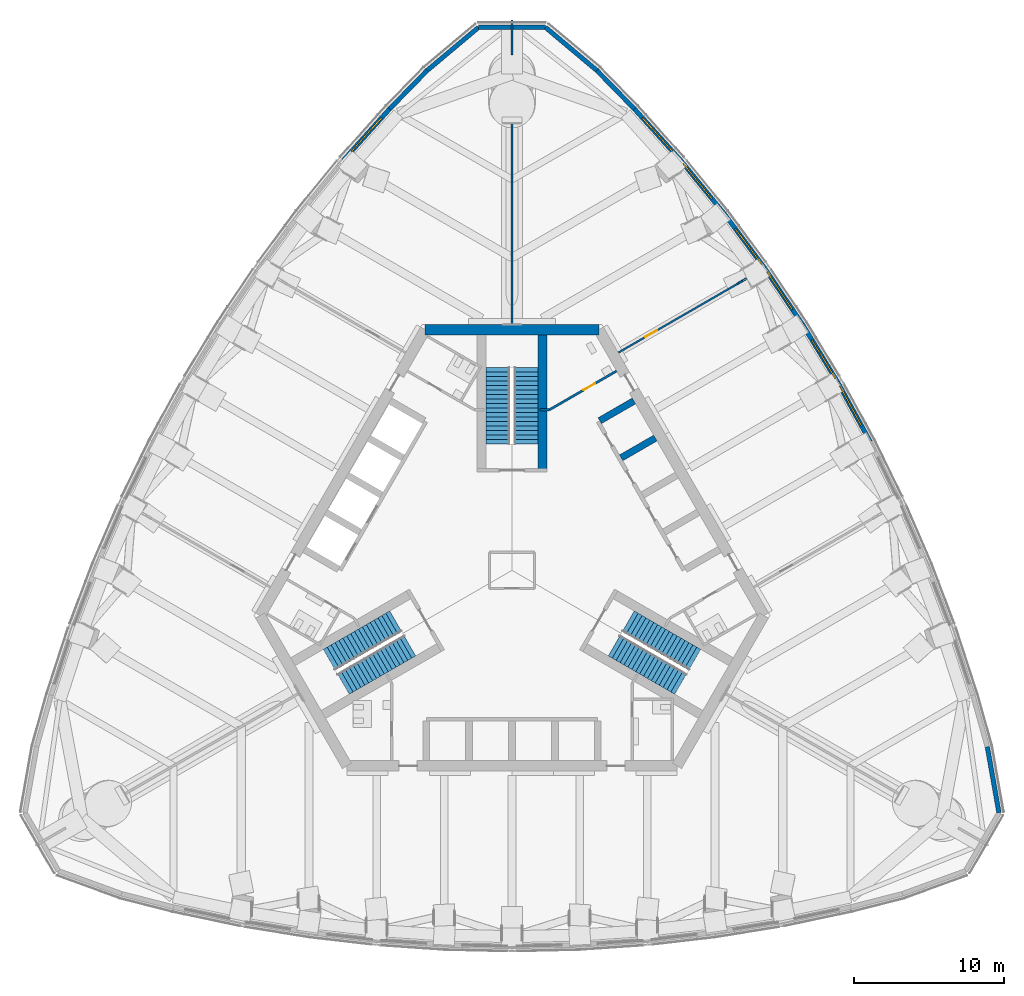
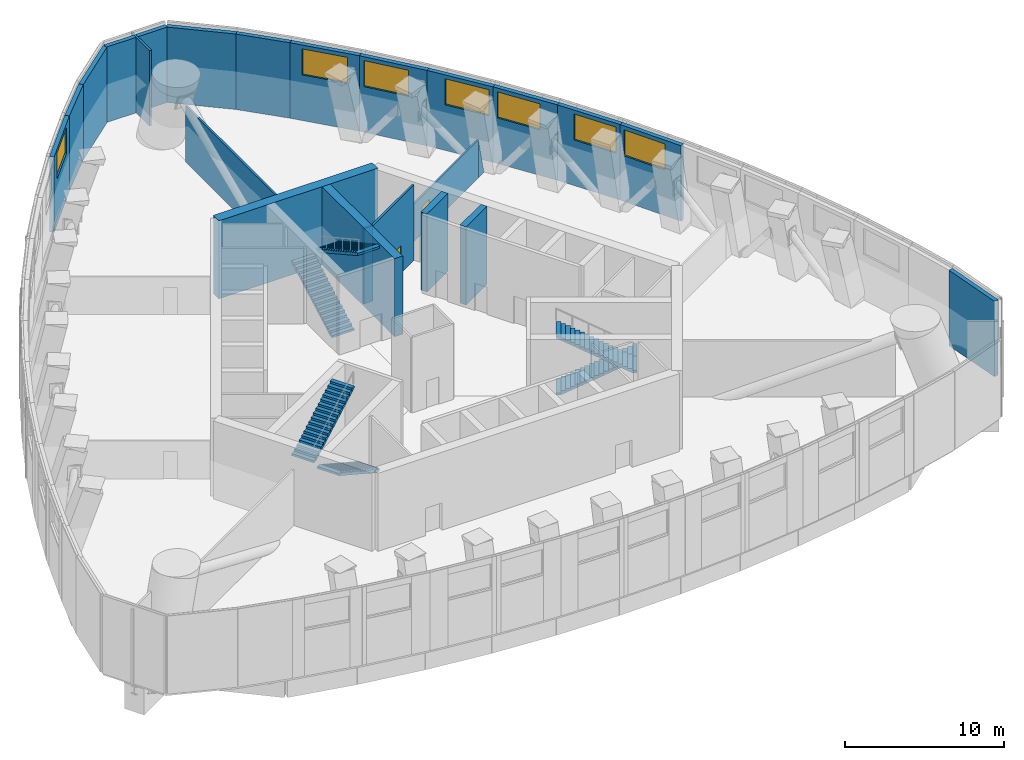
# One storey, part 9 of 22: 23 walls, 7 windows, 6 stair flights, 2 doors, 9 openings, 3 elements without a shape of their own.
"""IFC4 building model written with IfcOpenShell, lengths in metres."""

from ifc_helpers import new_model, si_unit, direction, frame, frame_2d, origin, place, context, subcontext, project, spatial, polyline, rectangle, outline, extrude, material, layer, layer_set, type_object, element, fill, aggregate, save


model = new_model("IFC4")

# Units and contexts
model_context = context("Model", 3, precision=1e-05, world=origin(), true_north=direction((0.0, 1.0)))
body_context = subcontext(model_context, "Body", "Model", "MODEL_VIEW")
ifc_project = project(units=[si_unit("LENGTHUNIT", "METRE"), si_unit("AREAUNIT", "SQUARE_METRE"), si_unit("VOLUMEUNIT", "CUBIC_METRE"), si_unit("PLANEANGLEUNIT", "RADIAN"), si_unit("MASSUNIT", "GRAM", prefix="KILO")], contexts=[model_context])

# Site, building, storey
site_placement = place(None, origin())
site = spatial("IfcSite", under=ifc_project, at=site_placement, CompositionType="ELEMENT")
building_placement = place(site_placement, origin())
building = spatial("IfcBuilding", under=site, at=building_placement, Name="Trefoil Bronze Tower", CompositionType="ELEMENT")
storey_placement = place(building_placement, frame((0.0, 0.0, 265.300048828125)))
storey = spatial("IfcBuildingStorey", under=building, at=storey_placement, Name="L61", CompositionType="ELEMENT", Elevation=265.300048828125)

# Wall
ifc_material_1 = material(Name="Concrete B80", Category="concrete")
ifc_layer_1 = layer(ifc_material_1, 0.300048828125)
ifc_layer_set_1 = layer_set([ifc_layer_1], Name="Belt wall 300")
wall_type_1 = type_object("IfcWallType", Name="Belt wall 300", PredefinedType="SOLIDWALL", material=ifc_layer_set_1)
wall_1_placement = place(storey_placement, frame((32.37060546875, -16.115478515625, 0.0), z_axis=(0.0, 0.0, 1.0), x_axis=(-0.173619736019, 0.984812767619, 0.0)))
element("IfcWall", 1, at=wall_1_placement, inside=storey, type_object=wall_type_1, Name="Belt wall T3.15", PredefinedType="SOLIDWALL", context=body_context, shape_type="SweptSolid", body=[
    extrude(rectangle(XDim=4.45751953125, YDim=0.300048828125, at=frame_2d((2.228759765625, 0.0))), origin(), (0.0, 0.0, 1.0), 5.800048828125),
])

# Wall, opening, window
wall_2_placement = place(storey_placement, frame((23.8115234375, 8.551513671875, 0.0), z_axis=(0.0, 0.0, 1.0), x_axis=(-0.479972822547, 0.877283357654, 0.0)))
wall_2 = element("IfcWall", 2, at=wall_2_placement, inside=storey, type_object=wall_type_1, Name="Belt wall T3.21", PredefinedType="SOLIDWALL", context=body_context, shape_type="SweptSolid", body=[
    extrude(rectangle(XDim=4.5009765625, YDim=0.300048828125, at=frame_2d((2.25048828125, 0.0))), origin(), (0.0, 0.0, 1.0), 5.800048828125),
])
opening_1_placement = place(wall_2_placement, frame((1.201171875, 0.0, 3.5)))
opening_1 = element("IfcOpeningElement", 3, at=opening_1_placement, cuts=wall_2, Name="Opening LV1", PredefinedType="OPENING", context=body_context, shape_type="SweptSolid", body=[
    extrude(rectangle(XDim=3.0, YDim=2.0, at=frame_2d((1.5, 1.0))), frame((0.0, 0.159912109375, 0.0), z_axis=(0.0, -1.0, 0.0), x_axis=(1.0, 0.0, 0.0)), (0.0, 0.0, 1.0), 0.320068359375),
])
ifc_material_2 = material(Name="Bronze-finish aluminium louvre", Category="aluminium")
window_type = type_object("IfcWindowType", Name="Plant louvre 3000", PartitioningType="SINGLE_PANEL", PredefinedType="USERDEFINED", material=ifc_material_2)
window_1_placement = place(opening_1_placement, origin())
window_1 = element("IfcWindow", 4, at=window_1_placement, inside=storey, type_object=window_type, Name="Plant louvre L61 F2.6.1", ObjectType="LOUVRE", OverallHeight=2.0, OverallWidth=3.0, PartitioningType="SINGLE_PANEL", PredefinedType="USERDEFINED", context=body_context, shape_type="SweptSolid", body=[
    extrude(rectangle(XDim=3.0, YDim=2.0, at=frame_2d((1.5, 1.0))), frame((0.0, 0.030029296875, 0.0), z_axis=(0.0, -1.0, 0.0), x_axis=(1.0, 0.0, 0.0)), (0.0, 0.0, 1.0), 0.06005859375),
])
fill(opening_1, window_1)

wall_3_placement = place(storey_placement, frame((21.651123046875, 12.500244140625, 0.0), z_axis=(0.0, 0.0, 1.0), x_axis=(-0.519766265397, 0.854308509472, 0.0)))
wall_3 = element("IfcWall", 5, at=wall_3_placement, inside=storey, type_object=wall_type_1, Name="Belt wall T3.22", PredefinedType="SOLIDWALL", context=body_context, shape_type="SweptSolid", body=[
    extrude(rectangle(XDim=4.501220703125, YDim=0.300048828125, at=frame_2d((2.25048828125, 0.0))), origin(), (0.0, 0.0, 1.0), 5.800048828125),
])
opening_2_placement = place(wall_3_placement, frame((0.300048828125, 0.0, 3.5)))
opening_2 = element("IfcOpeningElement", 6, at=opening_2_placement, cuts=wall_3, Name="Opening LV1", PredefinedType="OPENING", context=body_context, shape_type="SweptSolid", body=[
    extrude(rectangle(XDim=3.0, YDim=2.0, at=frame_2d((1.5, 1.0))), frame((0.0, 0.159912109375, 0.0), z_axis=(0.0, -1.0, 0.0), x_axis=(1.0, 0.0, 0.0)), (0.0, 0.0, 1.0), 0.320068359375),
])
window_2_placement = place(opening_2_placement, origin())
window_2 = element("IfcWindow", 7, at=window_2_placement, inside=storey, type_object=window_type, Name="Plant louvre L61 F2.7.1", ObjectType="LOUVRE", OverallHeight=2.0, OverallWidth=3.0, PartitioningType="SINGLE_PANEL", PredefinedType="USERDEFINED", context=body_context, shape_type="SweptSolid", body=[
    extrude(rectangle(XDim=3.0, YDim=2.0, at=frame_2d((1.5, 1.0))), frame((0.0, 0.030029296875, 0.0), z_axis=(0.0, -1.0, 0.0), x_axis=(1.0, 0.0, 0.0)), (0.0, 0.0, 1.0), 0.06005859375),
])
fill(opening_2, window_2)

wall_4_placement = place(storey_placement, frame((19.3115234375, 16.345703125, 0.0), z_axis=(0.0, 0.0, 1.0), x_axis=(-0.558466624917, 0.829526991034, 0.0)))
wall_4 = element("IfcWall", 8, at=wall_4_placement, inside=storey, type_object=wall_type_1, Name="Belt wall T3.23", PredefinedType="SOLIDWALL", context=body_context, shape_type="SweptSolid", body=[
    extrude(rectangle(XDim=4.5107421875, YDim=0.300048828125, at=frame_2d((2.25537109375, 0.0))), origin(), (0.0, 0.0, 1.0), 5.800048828125),
])
opening_3_placement = place(wall_4_placement, frame((1.210693359375, 0.0, 3.5)))
opening_3 = element("IfcOpeningElement", 9, at=opening_3_placement, cuts=wall_4, Name="Opening LV1", PredefinedType="OPENING", context=body_context, shape_type="SweptSolid", body=[
    extrude(rectangle(XDim=3.0, YDim=2.0, at=frame_2d((1.5, 1.0))), frame((0.0, 0.159912109375, 0.0), z_axis=(0.0, -1.0, 0.0), x_axis=(1.0, 0.0, 0.0)), (0.0, 0.0, 1.0), 0.320068359375),
])
window_3_placement = place(opening_3_placement, origin())
window_3 = element("IfcWindow", 10, at=window_3_placement, inside=storey, type_object=window_type, Name="Plant louvre L61 F2.8.1", ObjectType="LOUVRE", OverallHeight=2.0, OverallWidth=3.0, PartitioningType="SINGLE_PANEL", PredefinedType="USERDEFINED", context=body_context, shape_type="SweptSolid", body=[
    extrude(rectangle(XDim=3.0, YDim=2.0, at=frame_2d((1.5, 1.0))), frame((0.0, 0.030029296875, 0.0), z_axis=(0.0, -1.0, 0.0), x_axis=(1.0, 0.0, 0.0)), (0.0, 0.0, 1.0), 0.06005859375),
])
fill(opening_3, window_3)

wall_5_placement = place(storey_placement, frame((16.79248046875, 20.08740234375, 0.0), z_axis=(0.0, 0.0, 1.0), x_axis=(-0.596173167565, 0.802855873912, 0.0)))
wall_5 = element("IfcWall", 11, at=wall_5_placement, inside=storey, type_object=wall_type_1, Name="Belt wall T3.24", PredefinedType="SOLIDWALL", context=body_context, shape_type="SweptSolid", body=[
    extrude(rectangle(XDim=4.530029296875, YDim=0.300048828125, at=frame_2d((2.26513671875, 0.0))), origin(), (0.0, 0.0, 1.0), 5.800048828125),
])
opening_4_placement = place(wall_5_placement, frame((0.300048828125, 0.0, 3.5)))
opening_4 = element("IfcOpeningElement", 12, at=opening_4_placement, cuts=wall_5, Name="Opening LV1", PredefinedType="OPENING", context=body_context, shape_type="SweptSolid", body=[
    extrude(rectangle(XDim=3.0, YDim=2.0, at=frame_2d((1.5, 1.0))), frame((0.0, 0.159912109375, 0.0), z_axis=(0.0, -1.0, 0.0), x_axis=(1.0, 0.0, 0.0)), (0.0, 0.0, 1.0), 0.320068359375),
])
window_4_placement = place(opening_4_placement, origin())
window_4 = element("IfcWindow", 13, at=window_4_placement, inside=storey, type_object=window_type, Name="Plant louvre L61 F2.9.1", ObjectType="LOUVRE", OverallHeight=2.0, OverallWidth=3.0, PartitioningType="SINGLE_PANEL", PredefinedType="USERDEFINED", context=body_context, shape_type="SweptSolid", body=[
    extrude(rectangle(XDim=3.0, YDim=2.0, at=frame_2d((1.5, 1.0))), frame((0.0, 0.030029296875, 0.0), z_axis=(0.0, -1.0, 0.0), x_axis=(1.0, 0.0, 0.0)), (0.0, 0.0, 1.0), 0.06005859375),
])
fill(opening_4, window_4)

wall_6_placement = place(storey_placement, frame((14.091796875, 23.724365234375, 0.0), z_axis=(0.0, 0.0, 1.0), x_axis=(-0.632765292047, 0.774343647989, 0.0)))
wall_6 = element("IfcWall", 14, at=wall_6_placement, inside=storey, type_object=wall_type_1, Name="Belt wall T3.25", PredefinedType="SOLIDWALL", context=body_context, shape_type="SweptSolid", body=[
    extrude(rectangle(XDim=4.559326171875, YDim=0.300048828125, at=frame_2d((2.27978515625, 0.0))), origin(), (0.0, 0.0, 1.0), 5.800048828125),
])
opening_5_placement = place(wall_6_placement, frame((1.25927734375, 0.0, 3.5)))
opening_5 = element("IfcOpeningElement", 15, at=opening_5_placement, cuts=wall_6, Name="Opening LV1", PredefinedType="OPENING", context=body_context, shape_type="SweptSolid", body=[
    extrude(rectangle(XDim=3.0, YDim=2.0, at=frame_2d((1.5, 1.0))), frame((0.0, 0.159912109375, 0.0), z_axis=(0.0, -1.0, 0.0), x_axis=(1.0, 0.0, 0.0)), (0.0, 0.0, 1.0), 0.320068359375),
])
window_5_placement = place(opening_5_placement, origin())
window_5 = element("IfcWindow", 16, at=window_5_placement, inside=storey, type_object=window_type, Name="Plant louvre L61 F2.10.1", ObjectType="LOUVRE", OverallHeight=2.0, OverallWidth=3.0, PartitioningType="SINGLE_PANEL", PredefinedType="USERDEFINED", context=body_context, shape_type="SweptSolid", body=[
    extrude(rectangle(XDim=3.0, YDim=2.0, at=frame_2d((1.5, 1.0))), frame((0.0, 0.030029296875, 0.0), z_axis=(0.0, -1.0, 0.0), x_axis=(1.0, 0.0, 0.0)), (0.0, 0.0, 1.0), 0.06005859375),
])
fill(opening_5, window_5)

wall_7_placement = place(storey_placement, frame((11.206787109375, 27.2548828125, 0.0), z_axis=(0.0, 0.0, 1.0), x_axis=(-0.668245909458, 0.743940457626, 0.0)))
wall_7 = element("IfcWall", 17, at=wall_7_placement, inside=storey, type_object=wall_type_1, Name="Belt wall T3.26", PredefinedType="SOLIDWALL", context=body_context, shape_type="SweptSolid", body=[
    extrude(rectangle(XDim=4.599365234375, YDim=0.300048828125, at=frame_2d((2.2998046875, 0.0))), origin(), (0.0, 0.0, 1.0), 5.800048828125),
])
opening_6_placement = place(wall_7_placement, frame((0.7998046875, 0.0, 3.5)))
opening_6 = element("IfcOpeningElement", 18, at=opening_6_placement, cuts=wall_7, Name="Opening LV1", PredefinedType="OPENING", context=body_context, shape_type="SweptSolid", body=[
    extrude(rectangle(XDim=3.0, YDim=2.0, at=frame_2d((1.5, 1.0))), frame((0.0, 0.159912109375, 0.0), z_axis=(0.0, -1.0, 0.0), x_axis=(1.0, 0.0, 0.0)), (0.0, 0.0, 1.0), 0.320068359375),
])
window_6_placement = place(opening_6_placement, origin())
window_6 = element("IfcWindow", 19, at=window_6_placement, inside=storey, type_object=window_type, Name="Plant louvre L61 F2.11.1", ObjectType="LOUVRE", OverallHeight=2.0, OverallWidth=3.0, PartitioningType="SINGLE_PANEL", PredefinedType="USERDEFINED", context=body_context, shape_type="SweptSolid", body=[
    extrude(rectangle(XDim=3.0, YDim=2.0, at=frame_2d((1.5, 1.0))), frame((0.0, 0.030029296875, 0.0), z_axis=(0.0, -1.0, 0.0), x_axis=(1.0, 0.0, 0.0)), (0.0, 0.0, 1.0), 0.06005859375),
])
fill(opening_6, window_6)

# Walls
wall_8_placement = place(storey_placement, frame((8.13330078125, 30.676513671875, 0.0), z_axis=(0.0, 0.0, 1.0), x_axis=(-0.698630261643, 0.715482884154, 0.0)))
element("IfcWall", 20, at=wall_8_placement, inside=storey, type_object=wall_type_1, Name="Belt wall T3.27", PredefinedType="SOLIDWALL", context=body_context, shape_type="SweptSolid", body=[
    extrude(rectangle(XDim=3.563720703125, YDim=0.300048828125, at=frame_2d((1.78173828125, 0.0))), origin(), (0.0, 0.0, 1.0), 5.800048828125),
])
for number, where, z_axis, x_axis, name in (
    (21, (5.6435546875, 33.226318359375, 0.0), (0.0, 0.0, 1.0), (-0.766057564293, 0.642771972156, 0.0), "Belt wall T3.28"),
    (22, (2.228759765625, 36.091552734375, 0.0), (0.0, 0.0, 1.0), (-1.0, 0.0, 0.0), "Belt wall T3.29"),
    (23, (-2.228759765625, 36.091552734375, 0.0), (0.0, 0.0, 1.0), (-0.766057564293, -0.642771972156, 0.0), "Belt wall T3.30"),
):
    element("IfcWall", number, at=place(storey_placement, frame(where, z_axis=z_axis, x_axis=x_axis)), inside=storey, type_object=wall_type_1, Name=name, PredefinedType="SOLIDWALL", context=body_context, shape_type="SweptSolid", body=[
        extrude(rectangle(XDim=4.45751953125, YDim=0.300048828125, at=frame_2d((2.228759765625, 0.0))), origin(), (0.0, 0.0, 1.0), 5.800048828125),
    ])
wall_9_placement = place(storey_placement, frame((-5.6435546875, 33.226318359375, 0.0), z_axis=(0.0, 0.0, 1.0), x_axis=(-0.698630261643, -0.715482884154, 0.0)))
element("IfcWall", 24, at=wall_9_placement, inside=storey, type_object=wall_type_1, Name="Belt wall T3.31", PredefinedType="SOLIDWALL", context=body_context, shape_type="SweptSolid", body=[
    extrude(rectangle(XDim=3.563720703125, YDim=0.300048828125, at=frame_2d((1.78173828125, 0.0))), origin(), (0.0, 0.0, 1.0), 5.800048828125),
])

# Wall, opening, window
wall_10_placement = place(storey_placement, frame((-8.13330078125, 30.676513671875, 0.0), z_axis=(0.0, 0.0, 1.0), x_axis=(-0.668245909458, -0.743940457626, 0.0)))
wall_10 = element("IfcWall", 25, at=wall_10_placement, inside=storey, type_object=wall_type_1, Name="Belt wall T3.32", PredefinedType="SOLIDWALL", context=body_context, shape_type="SweptSolid", body=[
    extrude(rectangle(XDim=4.599365234375, YDim=0.300048828125, at=frame_2d((2.2998046875, 0.0))), origin(), (0.0, 0.0, 1.0), 5.800048828125),
])
opening_7_placement = place(wall_10_placement, frame((0.7998046875, 0.0, 3.5)))
opening_7 = element("IfcOpeningElement", 26, at=opening_7_placement, cuts=wall_10, Name="Opening LV1", PredefinedType="OPENING", context=body_context, shape_type="SweptSolid", body=[
    extrude(rectangle(XDim=3.0, YDim=2.0, at=frame_2d((1.5, 1.0))), frame((0.0, 0.159912109375, 0.0), z_axis=(0.0, -1.0, 0.0), x_axis=(1.0, 0.0, 0.0)), (0.0, 0.0, 1.0), 0.320068359375),
])
window_7_placement = place(opening_7_placement, origin())
window_7 = element("IfcWindow", 27, at=window_7_placement, inside=storey, type_object=window_type, Name="Plant louvre L61 F3.2.1", ObjectType="LOUVRE", OverallHeight=2.0, OverallWidth=3.0, PartitioningType="SINGLE_PANEL", PredefinedType="USERDEFINED", context=body_context, shape_type="SweptSolid", body=[
    extrude(rectangle(XDim=3.0, YDim=2.0, at=frame_2d((1.5, 1.0))), frame((0.0, 0.030029296875, 0.0), z_axis=(0.0, -1.0, 0.0), x_axis=(1.0, 0.0, 0.0)), (0.0, 0.0, 1.0), 0.06005859375),
])
fill(opening_7, window_7)

# Walls
ifc_material_3 = material(Name="Concrete B80", Category="concrete")
ifc_layer_2 = layer(ifc_material_3, 0.699951171875)
ifc_layer_set_2 = layer_set([ifc_layer_2], Name="Core wall 700")
wall_type_2 = type_object("IfcWallType", Name="Core wall 700", PredefinedType="SHEAR", material=ifc_layer_set_2)
wall_11_placement = place(storey_placement, frame((5.7734375, 16.0, 0.0), z_axis=(0.0, 0.0, 1.0), x_axis=(-1.0, 0.0, 0.0)))
element("IfcWall", 28, at=wall_11_placement, inside=storey, type_object=wall_type_2, Name="Core short wall 2 L61", PredefinedType="SHEAR", context=body_context, shape_type="SweptSolid", body=[
    extrude(rectangle(XDim=11.546875, YDim=0.699951171875, at=frame_2d((5.7734375, 0.0))), origin(), (0.0, 0.0, 1.0), 6.0),
])
ifc_material_4 = material(Name="Glazed partition", Category="glass")
ifc_layer_3 = layer(ifc_material_4, 0.1201171875)
ifc_layer_set_3 = layer_set([ifc_layer_3], Name="Glazed partition 120")
wall_type_3 = type_object("IfcWallType", Name="Glazed partition 120", PredefinedType="PARTITIONING", material=ifc_layer_set_3)
wall_12_placement = place(storey_placement, frame((14.985595703125, 19.044189453125, 0.0), z_axis=(0.0, 0.0, 1.0), x_axis=(0.865984622623, 0.500070628392, 0.0)))
element("IfcWall", 29, at=wall_12_placement, inside=storey, type_object=wall_type_3, Name="Partition F2 L61", PredefinedType="PARTITIONING", context=body_context, shape_type="SweptSolid", body=[
    extrude(outline(polyline([(0.0, 0.0), (0.68798828125, 0.0), (0.687744140625, 0.050048828125), (0.0, 2.89990234375), (0.0, 0.0)])), frame((0.0, 0.06005859375, 0.0), z_axis=(0.0, -1.0, 0.0), x_axis=(1.0, 0.0, 0.0)), (0.0, 0.0, 1.0), 0.1201171875),
])

# Wall, opening, door
wall_13_placement = place(storey_placement, frame((7.078857421875, 14.479248046875, 0.0), z_axis=(0.0, 0.0, 1.0), x_axis=(0.866026165896, 0.499998679983, 0.0)))
wall_13 = element("IfcWall", 30, at=wall_13_placement, inside=storey, type_object=wall_type_3, Name="Partition F2 L61", PredefinedType="PARTITIONING", context=body_context, shape_type="SweptSolid", body=[
    extrude(rectangle(XDim=9.1298828125, YDim=0.1201171875, at=frame_2d((4.56494140625, 0.0))), origin(), (0.0, 0.0, 1.0), 2.89990234375),
])
opening_8_placement = place(wall_13_placement, frame((2.050048828125, 0.0, 0.0)))
opening_8 = element("IfcOpeningElement", 31, at=opening_8_placement, cuts=wall_13, Name="Opening D8", PredefinedType="OPENING", context=body_context, shape_type="SweptSolid", body=[
    extrude(rectangle(XDim=0.89990234375, YDim=2.10009765625, at=frame_2d((0.449951171875, 1.050048828125))), frame((0.0, 0.070068359375, 0.0), z_axis=(0.0, -1.0, 0.0), x_axis=(1.0, 0.0, 0.0)), (0.0, 0.0, 1.0), 0.14013671875),
])
ifc_material_5 = material(Name="Timber door", Category="wood")
door_type_1 = type_object("IfcDoorType", Name="Office door 900", OperationType="SINGLE_SWING_LEFT", PredefinedType="DOOR", material=ifc_material_5)
door_1_placement = place(opening_8_placement, frame((0.89990234375, 0.0, 0.0), z_axis=(0.0, 0.0, 1.0), x_axis=(-1.0, 0.0, 0.0)))
door_1 = element("IfcDoor", 32, at=door_1_placement, inside=storey, type_object=door_type_1, Name="Pump plant room door F2 L61", OperationType="SINGLE_SWING_RIGHT", OverallHeight=2.10009765625, OverallWidth=0.89990234375, PredefinedType="DOOR", context=body_context, shape_type="SweptSolid", body=[
    extrude(rectangle(XDim=0.89990234375, YDim=2.10009765625, at=frame_2d((0.449951171875, 1.050048828125))), frame((0.0, 0.02490234375, 0.0), z_axis=(0.0, -1.0, 0.0), x_axis=(1.0, 0.0, 0.0)), (0.0, 0.0, 1.0), 0.050048828125),
])
fill(opening_8, door_1)

# Walls
ifc_material_6 = material(Name="Concrete B80", Category="concrete")
ifc_layer_4 = layer(ifc_material_6, 0.449951171875)
ifc_layer_set_4 = layer_set([ifc_layer_4], Name="Outrigger shaft wall 450")
wall_type_4 = type_object("IfcWallType", Name="Outrigger shaft wall 450", PredefinedType="SHEAR", material=ifc_layer_set_4)
for number, where, z_axis, x_axis, name in (
    (33, (7.2568359375, 7.480712890625, 0.0), (0.0, 0.0, 1.0), (0.866036909293, 0.499980071345, 0.0), "Lift shaft side wall B3 L61"),
    (34, (5.831787109375, 9.94873046875, 0.0), (0.0, 0.0, 1.0), (0.866036909293, 0.499980071345, 0.0), "Lift shaft side wall B4 L61"),
):
    element("IfcWall", number, at=place(storey_placement, frame(where, z_axis=z_axis, x_axis=x_axis)), inside=storey, type_object=wall_type_4, Name=name, PredefinedType="SHEAR", context=body_context, shape_type="SweptSolid", body=[
        extrude(rectangle(XDim=2.625, YDim=0.449951171875, at=frame_2d((1.3125, 0.0))), origin(), (0.0, 0.0, 1.0), 6.0),
    ])

# Wall, opening, door
ifc_material_7 = material(Name="Gypsum board on steel studs", Category="steel")
ifc_layer_5 = layer(ifc_material_7, 0.14990234375)
ifc_layer_set_5 = layer_set([ifc_layer_5], Name="Partition 150")
wall_type_5 = type_object("IfcWallType", Name="Partition 150", PredefinedType="PARTITIONING", material=ifc_layer_set_5)
wall_14_placement = place(storey_placement, frame((2.4951171875, 10.67822265625, 0.0), z_axis=(0.0, 0.0, 1.0), x_axis=(0.866037967349, 0.499978238636, 0.0)))
wall_14 = element("IfcWall", 35, at=wall_14_placement, inside=storey, type_object=wall_type_5, Name="Passage wall F2+ L61", PredefinedType="PARTITIONING", context=body_context, shape_type="SweptSolid", body=[
    extrude(rectangle(XDim=5.150146484375, YDim=0.14990234375, at=frame_2d((2.5751953125, 0.0))), origin(), (0.0, 0.0, 1.0), 5.800048828125),
])
opening_9_placement = place(wall_14_placement, frame((2.60009765625, 0.0, 0.0)))
opening_9 = element("IfcOpeningElement", 36, at=opening_9_placement, cuts=wall_14, Name="Opening D3", PredefinedType="OPENING", context=body_context, shape_type="SweptSolid", body=[
    extrude(rectangle(XDim=0.89990234375, YDim=2.10009765625, at=frame_2d((0.449951171875, 1.050048828125))), frame((0.0, 0.0849609375, 0.0), z_axis=(0.0, -1.0, 0.0), x_axis=(1.0, 0.0, 0.0)), (0.0, 0.0, 1.0), 0.169921875),
])
ifc_material_8 = material(Name="Timber door", Category="wood")
door_type_2 = type_object("IfcDoorType", Name="WC door 900", OperationType="SINGLE_SWING_LEFT", PredefinedType="DOOR", material=ifc_material_8)
door_2_placement = place(opening_9_placement, origin())
door_2 = element("IfcDoor", 37, at=door_2_placement, inside=storey, type_object=door_type_2, Name="Accessible WC door L61", OperationType="SINGLE_SWING_RIGHT", OverallHeight=2.10009765625, OverallWidth=0.89990234375, PredefinedType="DOOR", context=body_context, shape_type="SweptSolid", body=[
    extrude(rectangle(XDim=0.89990234375, YDim=2.10009765625, at=frame_2d((0.449951171875, 1.050048828125))), frame((0.0, 0.02490234375, 0.0), z_axis=(0.0, -1.0, 0.0), x_axis=(1.0, 0.0, 0.0)), (0.0, 0.0, 1.0), 0.050048828125),
])
fill(opening_9, door_2)

# Walls
wall_15_placement = place(storey_placement, frame((2.4951171875, 10.67822265625, 0.0), z_axis=(0.0, 0.0, 1.0), x_axis=(-1.0, 0.0, 0.0)))
element("IfcWall", 38, at=wall_15_placement, inside=storey, type_object=wall_type_5, Name="WC wall ST2-1 L61", PredefinedType="PARTITIONING", context=body_context, shape_type="SweptSolid", body=[
    extrude(rectangle(XDim=0.64501953125, YDim=0.14990234375, at=frame_2d((0.322509765625, 0.0))), origin(), (0.0, 0.0, 1.0), 5.800048828125),
])
ifc_material_9 = material(Name="Gypsum board on steel studs", Category="steel")
ifc_layer_6 = layer(ifc_material_9, 0.14990234375)
ifc_layer_set_6 = layer_set([ifc_layer_6], Name="Party wall 150")
wall_type_6 = type_object("IfcWallType", Name="Party wall 150", PredefinedType="PARTITIONING", material=ifc_layer_set_6)
wall_16_placement = place(storey_placement, frame((0.0, 16.35009765625, 0.0), z_axis=(0.0, 0.0, 1.0), x_axis=(0.0, 1.0, 0.0)))
element("IfcWall", 39, at=wall_16_placement, inside=storey, type_object=wall_type_6, Name="Party wall K2 L61", PredefinedType="PARTITIONING", context=body_context, shape_type="SweptSolid", body=[
    extrude(rectangle(XDim=13.39990234375, YDim=0.14990234375, at=frame_2d((6.699951171875, 0.0))), origin(), (0.0, 0.0, 1.0), 4.300048828125),
])
wall_17_placement = place(storey_placement, frame((0.0, 34.25, 0.0), z_axis=(0.0, 0.0, 1.0), x_axis=(0.0, 1.0, 0.0)))
element("IfcWall", 40, at=wall_17_placement, inside=storey, type_object=wall_type_6, Name="Party wall K2 L61", PredefinedType="PARTITIONING", context=body_context, shape_type="SweptSolid", body=[
    extrude(rectangle(XDim=2.334716796875, YDim=0.14990234375, at=frame_2d((1.16748046875, 0.0))), origin(), (0.0, 0.0, 1.0), 5.800048828125),
])
ifc_material_10 = material(Name="Concrete B80", Category="concrete")
ifc_layer_7 = layer(ifc_material_10, 0.60009765625)
ifc_layer_set_7 = layer_set([ifc_layer_7], Name="Stair wall 600")
wall_type_7 = type_object("IfcWallType", Name="Stair wall 600", PredefinedType="SHEAR", material=ifc_layer_set_7)
wall_18_placement = place(storey_placement, frame((2.02490234375, 6.52490234375, 0.0), z_axis=(0.0, 0.0, 1.0), x_axis=(0.0, 1.0, 0.0)))
element("IfcWall", 41, at=wall_18_placement, inside=storey, type_object=wall_type_7, Name="Stair wall ST2 L61", PredefinedType="SHEAR", context=body_context, shape_type="SweptSolid", body=[
    extrude(rectangle(XDim=9.125, YDim=0.60009765625, at=frame_2d((4.5625, 0.0))), origin(), (0.0, 0.0, 1.0), 6.0),
])

# Stair, stair flights
ifc_material_11 = material(Name="Precast concrete B80", Category="concrete")
stair_type = type_object("IfcStairType", Name="Exit stair 36 risers", PredefinedType="HALF_TURN_STAIR", material=ifc_material_11)
stair_1_placement = place(storey_placement, origin())
stair_1 = element("IfcStair", 42, at=stair_1_placement, inside=storey, type_object=stair_type, Name="Stair ST1 L61", PredefinedType="HALF_TURN_STAIR")
ifc_material_12 = material(Name="Precast concrete B80", Category="concrete")
stair_flight_type = type_object("IfcStairFlightType", Name="Stair flight 1600", PredefinedType="STRAIGHT", material=ifc_material_12)
stair_flight_1_placement = place(storey_placement, frame((7.728515625, -3.39404296875, 0.0), z_axis=(0.0, 0.0, 1.0), x_axis=(0.866025403784, -0.5, 0.0)))
stair_flight_1 = element("IfcStairFlight", 43, at=stair_flight_1_placement, type_object=stair_flight_type, Name="ST1 flight 1", NumberOfRisers=18, NumberOfTreads=17, PredefinedType="STRAIGHT", RiserHeight=0.166666667, TreadLength=0.3, context=body_context, shape_type="SweptSolid", body=[
    extrude(outline(polyline([(0.0, 0.0), (0.0, 0.166748046875), (0.300048828125, 0.166748046875), (0.300048828125, 0.333251953125), (0.60009765625, 0.333251953125), (0.60009765625, 0.5), (0.89990234375, 0.5), (0.89990234375, 0.666748046875), (1.199951171875, 0.666748046875), (1.199951171875, 0.833251953125), (1.5, 0.833251953125), (1.5, 1.0), (1.800048828125, 1.0), (1.800048828125, 1.166748046875), (2.10009765625, 1.166748046875), (2.10009765625, 1.333251953125), (2.39990234375, 1.333251953125), (2.39990234375, 1.5), (2.699951171875, 1.5), (2.699951171875, 1.666748046875), (3.0, 1.666748046875), (3.0, 1.833251953125), (3.300048828125, 1.833251953125), (3.300048828125, 2.0), (3.60009765625, 2.0), (3.60009765625, 2.166748046875), (3.89990234375, 2.166748046875), (3.89990234375, 2.333251953125), (4.199951171875, 2.333251953125), (4.199951171875, 2.5), (4.5, 2.5), (4.5, 2.666748046875), (4.800048828125, 2.666748046875), (4.800048828125, 2.833251953125), (5.10009765625, 2.833251953125), (5.10009765625, 3.0), (5.10009765625, 2.661865234375), (0.30859375, 0.0), (0.0, 0.0)])), frame((0.0, 0.800048828125, 0.0), z_axis=(0.0, -1.0, 0.0), x_axis=(1.0, 0.0, 0.0)), (0.0, 0.0, 1.0), 1.60009765625),
])
stair_flight_2_placement = place(storey_placement, frame((11.22021484375, -7.546142578125, 3.0), z_axis=(0.0, 0.0, 1.0), x_axis=(-0.866025403784, 0.5, 0.0)))
stair_flight_2 = element("IfcStairFlight", 44, at=stair_flight_2_placement, type_object=stair_flight_type, Name="ST1 flight 2", NumberOfRisers=18, NumberOfTreads=17, PredefinedType="STRAIGHT", RiserHeight=0.166666667, TreadLength=0.3, context=body_context, shape_type="SweptSolid", body=[
    extrude(outline(polyline([(0.0, 0.0), (0.0, 0.166748046875), (0.300048828125, 0.166748046875), (0.300048828125, 0.333251953125), (0.60009765625, 0.333251953125), (0.60009765625, 0.5), (0.89990234375, 0.5), (0.89990234375, 0.666748046875), (1.199951171875, 0.666748046875), (1.199951171875, 0.833251953125), (1.5, 0.833251953125), (1.5, 1.0), (1.800048828125, 1.0), (1.800048828125, 1.166748046875), (2.10009765625, 1.166748046875), (2.10009765625, 1.333251953125), (2.39990234375, 1.333251953125), (2.39990234375, 1.5), (2.699951171875, 1.5), (2.699951171875, 1.666748046875), (3.0, 1.666748046875), (3.0, 1.833251953125), (3.300048828125, 1.833251953125), (3.300048828125, 2.0), (3.60009765625, 2.0), (3.60009765625, 2.166748046875), (3.89990234375, 2.166748046875), (3.89990234375, 2.333251953125), (4.199951171875, 2.333251953125), (4.199951171875, 2.5), (4.5, 2.5), (4.5, 2.666748046875), (4.800048828125, 2.666748046875), (4.800048828125, 2.833251953125), (5.10009765625, 2.833251953125), (5.10009765625, 3.0), (5.10009765625, 2.661865234375), (0.30859375, 0.0), (0.0, 0.0)])), frame((0.0, 0.800048828125, 0.0), z_axis=(0.0, -1.0, 0.0), x_axis=(1.0, 0.0, 0.0)), (0.0, 0.0, 1.0), 1.60009765625),
])
aggregate(stair_1, [stair_flight_1, stair_flight_2])

stair_2_placement = place(storey_placement, origin())
stair_2 = element("IfcStair", 45, at=stair_2_placement, inside=storey, type_object=stair_type, Name="Stair ST2 L61", PredefinedType="HALF_TURN_STAIR")
stair_flight_3_placement = place(storey_placement, frame((-0.925048828125, 8.389892578125, 0.0), z_axis=(0.0, 0.0, 1.0), x_axis=(0.0, 1.0, 0.0)))
stair_flight_3 = element("IfcStairFlight", 46, at=stair_flight_3_placement, type_object=stair_flight_type, Name="ST2 flight 1", NumberOfRisers=18, NumberOfTreads=17, PredefinedType="STRAIGHT", RiserHeight=0.166666667, TreadLength=0.3, context=body_context, shape_type="SweptSolid", body=[
    extrude(outline(polyline([(0.0, 0.0), (0.0, 0.166748046875), (0.300048828125, 0.166748046875), (0.300048828125, 0.333251953125), (0.60009765625, 0.333251953125), (0.60009765625, 0.5), (0.89990234375, 0.5), (0.89990234375, 0.666748046875), (1.199951171875, 0.666748046875), (1.199951171875, 0.833251953125), (1.5, 0.833251953125), (1.5, 1.0), (1.800048828125, 1.0), (1.800048828125, 1.166748046875), (2.10009765625, 1.166748046875), (2.10009765625, 1.333251953125), (2.39990234375, 1.333251953125), (2.39990234375, 1.5), (2.699951171875, 1.5), (2.699951171875, 1.666748046875), (3.0, 1.666748046875), (3.0, 1.833251953125), (3.300048828125, 1.833251953125), (3.300048828125, 2.0), (3.60009765625, 2.0), (3.60009765625, 2.166748046875), (3.89990234375, 2.166748046875), (3.89990234375, 2.333251953125), (4.199951171875, 2.333251953125), (4.199951171875, 2.5), (4.5, 2.5), (4.5, 2.666748046875), (4.800048828125, 2.666748046875), (4.800048828125, 2.833251953125), (5.10009765625, 2.833251953125), (5.10009765625, 3.0), (5.10009765625, 2.661865234375), (0.30859375, 0.0), (0.0, 0.0)])), frame((0.0, 0.800048828125, 0.0), z_axis=(0.0, -1.0, 0.0), x_axis=(1.0, 0.0, 0.0)), (0.0, 0.0, 1.0), 1.60009765625),
])
stair_flight_4_placement = place(storey_placement, frame((0.925048828125, 13.489990234375, 3.0), z_axis=(0.0, 0.0, 1.0), x_axis=(0.0, -1.0, 0.0)))
stair_flight_4 = element("IfcStairFlight", 47, at=stair_flight_4_placement, type_object=stair_flight_type, Name="ST2 flight 2", NumberOfRisers=18, NumberOfTreads=17, PredefinedType="STRAIGHT", RiserHeight=0.166666667, TreadLength=0.3, context=body_context, shape_type="SweptSolid", body=[
    extrude(outline(polyline([(0.0, 0.0), (0.0, 0.166748046875), (0.300048828125, 0.166748046875), (0.300048828125, 0.333251953125), (0.60009765625, 0.333251953125), (0.60009765625, 0.5), (0.89990234375, 0.5), (0.89990234375, 0.666748046875), (1.199951171875, 0.666748046875), (1.199951171875, 0.833251953125), (1.5, 0.833251953125), (1.5, 1.0), (1.800048828125, 1.0), (1.800048828125, 1.166748046875), (2.10009765625, 1.166748046875), (2.10009765625, 1.333251953125), (2.39990234375, 1.333251953125), (2.39990234375, 1.5), (2.699951171875, 1.5), (2.699951171875, 1.666748046875), (3.0, 1.666748046875), (3.0, 1.833251953125), (3.300048828125, 1.833251953125), (3.300048828125, 2.0), (3.60009765625, 2.0), (3.60009765625, 2.166748046875), (3.89990234375, 2.166748046875), (3.89990234375, 2.333251953125), (4.199951171875, 2.333251953125), (4.199951171875, 2.5), (4.5, 2.5), (4.5, 2.666748046875), (4.800048828125, 2.666748046875), (4.800048828125, 2.833251953125), (5.10009765625, 2.833251953125), (5.10009765625, 3.0), (5.10009765625, 2.661865234375), (0.30859375, 0.0), (0.0, 0.0)])), frame((0.0, 0.800048828125, 0.0), z_axis=(0.0, -1.0, 0.0), x_axis=(1.0, 0.0, 0.0)), (0.0, 0.0, 1.0), 1.60009765625),
])
aggregate(stair_2, [stair_flight_3, stair_flight_4])

stair_3_placement = place(storey_placement, origin())
stair_3 = element("IfcStair", 48, at=stair_3_placement, inside=storey, type_object=stair_type, Name="Stair ST3 L61", PredefinedType="HALF_TURN_STAIR")
stair_flight_5_placement = place(storey_placement, frame((-6.803466796875, -4.99609375, 0.0), z_axis=(0.0, 0.0, 1.0), x_axis=(-0.866025403784, -0.5, 0.0)))
stair_flight_5 = element("IfcStairFlight", 49, at=stair_flight_5_placement, type_object=stair_flight_type, Name="ST3 flight 1", NumberOfRisers=18, NumberOfTreads=17, PredefinedType="STRAIGHT", RiserHeight=0.166666667, TreadLength=0.3, context=body_context, shape_type="SweptSolid", body=[
    extrude(outline(polyline([(0.0, 0.0), (0.0, 0.166748046875), (0.300048828125, 0.166748046875), (0.300048828125, 0.333251953125), (0.60009765625, 0.333251953125), (0.60009765625, 0.5), (0.89990234375, 0.5), (0.89990234375, 0.666748046875), (1.199951171875, 0.666748046875), (1.199951171875, 0.833251953125), (1.5, 0.833251953125), (1.5, 1.0), (1.800048828125, 1.0), (1.800048828125, 1.166748046875), (2.10009765625, 1.166748046875), (2.10009765625, 1.333251953125), (2.39990234375, 1.333251953125), (2.39990234375, 1.5), (2.699951171875, 1.5), (2.699951171875, 1.666748046875), (3.0, 1.666748046875), (3.0, 1.833251953125), (3.300048828125, 1.833251953125), (3.300048828125, 2.0), (3.60009765625, 2.0), (3.60009765625, 2.166748046875), (3.89990234375, 2.166748046875), (3.89990234375, 2.333251953125), (4.199951171875, 2.333251953125), (4.199951171875, 2.5), (4.5, 2.5), (4.5, 2.666748046875), (4.800048828125, 2.666748046875), (4.800048828125, 2.833251953125), (5.10009765625, 2.833251953125), (5.10009765625, 3.0), (5.10009765625, 2.661865234375), (0.30859375, 0.0), (0.0, 0.0)])), frame((0.0, 0.800048828125, 0.0), z_axis=(0.0, -1.0, 0.0), x_axis=(1.0, 0.0, 0.0)), (0.0, 0.0, 1.0), 1.60009765625),
])
stair_flight_6_placement = place(storey_placement, frame((-12.145263671875, -5.94384765625, 3.0), z_axis=(0.0, 0.0, 1.0), x_axis=(0.866025403784, 0.5, 0.0)))
stair_flight_6 = element("IfcStairFlight", 50, at=stair_flight_6_placement, type_object=stair_flight_type, Name="ST3 flight 2", NumberOfRisers=18, NumberOfTreads=17, PredefinedType="STRAIGHT", RiserHeight=0.166666667, TreadLength=0.3, context=body_context, shape_type="SweptSolid", body=[
    extrude(outline(polyline([(0.0, 0.0), (0.0, 0.166748046875), (0.300048828125, 0.166748046875), (0.300048828125, 0.333251953125), (0.60009765625, 0.333251953125), (0.60009765625, 0.5), (0.89990234375, 0.5), (0.89990234375, 0.666748046875), (1.199951171875, 0.666748046875), (1.199951171875, 0.833251953125), (1.5, 0.833251953125), (1.5, 1.0), (1.800048828125, 1.0), (1.800048828125, 1.166748046875), (2.10009765625, 1.166748046875), (2.10009765625, 1.333251953125), (2.39990234375, 1.333251953125), (2.39990234375, 1.5), (2.699951171875, 1.5), (2.699951171875, 1.666748046875), (3.0, 1.666748046875), (3.0, 1.833251953125), (3.300048828125, 1.833251953125), (3.300048828125, 2.0), (3.60009765625, 2.0), (3.60009765625, 2.166748046875), (3.89990234375, 2.166748046875), (3.89990234375, 2.333251953125), (4.199951171875, 2.333251953125), (4.199951171875, 2.5), (4.5, 2.5), (4.5, 2.666748046875), (4.800048828125, 2.666748046875), (4.800048828125, 2.833251953125), (5.10009765625, 2.833251953125), (5.10009765625, 3.0), (5.10009765625, 2.661865234375), (0.30859375, 0.0), (0.0, 0.0)])), frame((0.0, 0.800048828125, 0.0), z_axis=(0.0, -1.0, 0.0), x_axis=(1.0, 0.0, 0.0)), (0.0, 0.0, 1.0), 1.60009765625),
])
aggregate(stair_3, [stair_flight_5, stair_flight_6])

save(model, "model.ifc")
